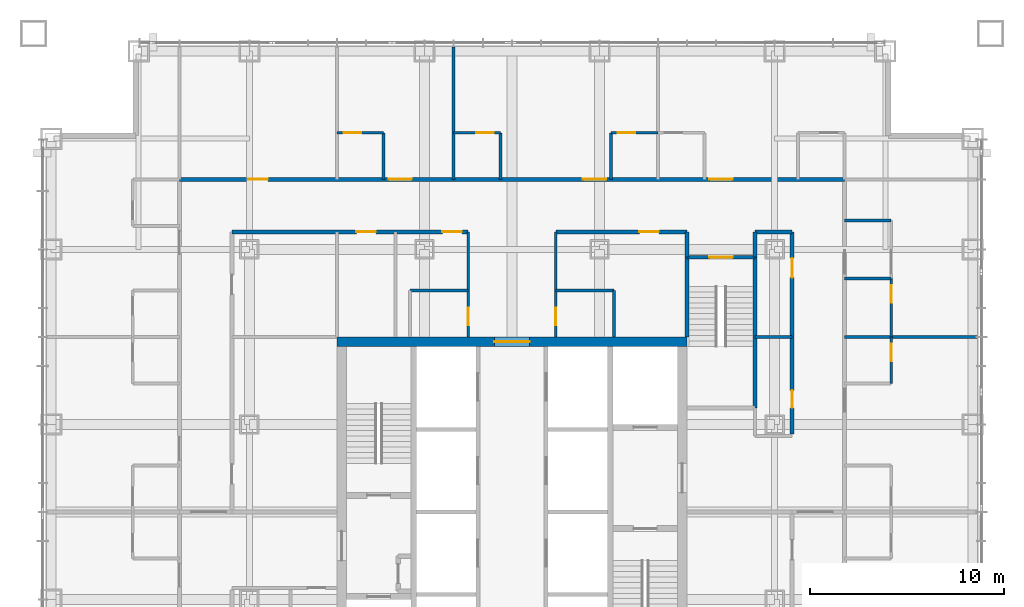
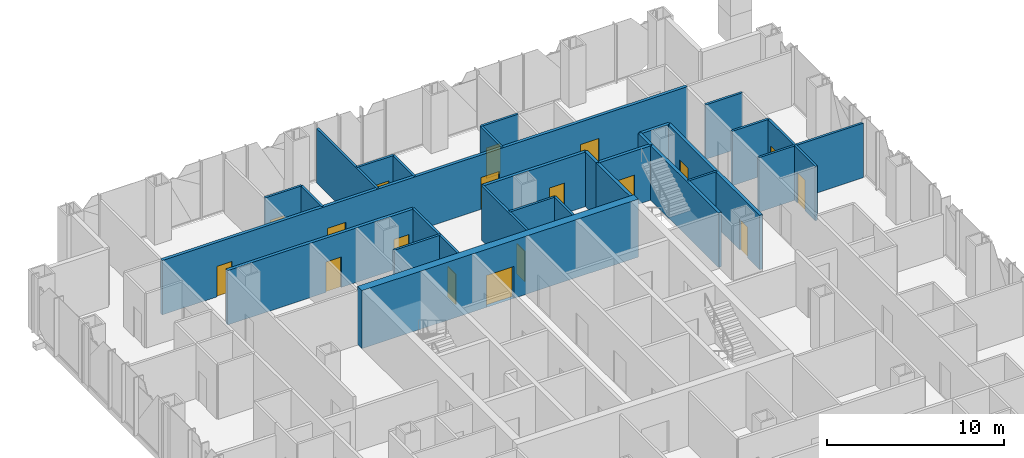
# One storey, part 12 of 23: 29 walls, 18 doors, 18 openings.
"""IFC4 building model written with IfcOpenShell, lengths in metres."""

from ifc_helpers import new_model, si_unit, direction, frame, frame_2d, origin, place, context, subcontext, project, spatial, rectangle, extrude, material, layer, layer_set, type_object, element, fill, save


model = new_model("IFC4")

# Units and contexts
model_context = context("Model", 3, precision=1e-05, world=origin(), true_north=direction((0.0, 1.0)))
body_context = subcontext(model_context, "Body", "Model", "MODEL_VIEW")
ifc_project = project(units=[si_unit("LENGTHUNIT", "METRE"), si_unit("AREAUNIT", "SQUARE_METRE"), si_unit("VOLUMEUNIT", "CUBIC_METRE"), si_unit("PLANEANGLEUNIT", "RADIAN"), si_unit("MASSUNIT", "GRAM", prefix="KILO")], contexts=[model_context])

# Site, building, storey
site_placement = place(None, origin())
site = spatial("IfcSite", under=ifc_project, at=site_placement, CompositionType="ELEMENT")
building_placement = place(site_placement, origin())
building = spatial("IfcBuilding", under=site, at=building_placement, Name="Malebo Sky Hospital", CompositionType="ELEMENT")
storey_placement = place(building_placement, frame((0.0, 0.0, 168.0)))
storey = spatial("IfcBuildingStorey", under=building, at=storey_placement, Name="L40", CompositionType="ELEMENT", Elevation=168.0)

# Wall, opening, door
ifc_material_1 = material(Name="Concrete C80/95", Category="concrete")
ifc_layer_1 = layer(ifc_material_1, 0.5)
ifc_layer_set_1 = layer_set([ifc_layer_1], Name="CORE WALL 500")
wall_type_1 = type_object("IfcWallType", Name="CORE WALL 500", PredefinedType="SHEAR", material=ifc_layer_set_1)
wall_1_placement = place(storey_placement, frame((51.0, 70.75, 0.0), z_axis=(0.0, 0.0, 1.0), x_axis=(1.0, 0.0, 0.0)))
wall_1 = element("IfcWall", 1, at=wall_1_placement, inside=storey, type_object=wall_type_1, Name="Core wall N L40", PredefinedType="SHEAR", context=body_context, shape_type="SweptSolid", body=[
    extrude(rectangle(XDim=18.0, YDim=0.5, at=frame_2d((9.0, 0.0))), origin(), (0.0, 0.0, 1.0), 4.0),
])
opening_1_placement = place(wall_1_placement, frame((8.10009765625, 0.0, 0.0)))
opening_1 = element("IfcOpeningElement", 2, at=opening_1_placement, cuts=wall_1, Name="Opening D06", PredefinedType="OPENING", context=body_context, shape_type="SweptSolid", body=[
    extrude(rectangle(XDim=1.800048828125, YDim=2.199951171875, at=frame_2d((0.89990234375, 1.10009765625))), frame((0.0, 0.260009765625, 0.0), z_axis=(0.0, -1.0, 0.0), x_axis=(1.0, 0.0, 0.0)), (0.0, 0.0, 1.0), 0.52001953125),
])
ifc_material_2 = material(Name="Hardwood-faced door leaf in steel frame", Category="steel")
door_type_1 = type_object("IfcDoorType", Name="LOBBY DOOR PAIR 1800", OperationType="DOUBLE_DOOR_SINGLE_SWING", PredefinedType="DOOR", material=ifc_material_2)
door_1_placement = place(opening_1_placement, origin())
door_1 = element("IfcDoor", 3, at=door_1_placement, inside=storey, type_object=door_type_1, Name="Lift lobby door north", OperationType="DOUBLE_DOOR_SINGLE_SWING", OverallHeight=2.199951171875, OverallWidth=1.800048828125, PredefinedType="DOOR", context=body_context, shape_type="SweptSolid", body=[
    extrude(rectangle(XDim=1.800048828125, YDim=2.199951171875, at=frame_2d((0.89990234375, 1.10009765625))), frame((0.0, 0.02490234375, 0.0), z_axis=(0.0, -1.0, 0.0), x_axis=(1.0, 0.0, 0.0)), (0.0, 0.0, 1.0), 0.050048828125),
])
fill(opening_1, door_1)

# Wall, openings, doors
ifc_material_3 = material(Name="Gypsum board on steel studs", Category="steel")
ifc_layer_2 = layer(ifc_material_3, 0.199951171875)
ifc_layer_set_2 = layer_set([ifc_layer_2], Name="CORRIDOR WALL 200")
wall_type_2 = type_object("IfcWallType", Name="CORRIDOR WALL 200", PredefinedType="PARTITIONING", material=ifc_layer_set_2)
wall_2_placement = place(storey_placement, frame((42.89990234375, 79.10009765625, 0.0), z_axis=(0.0, 0.0, 1.0), x_axis=(1.0, 0.0, 0.0)))
wall_2 = element("IfcWall", 4, at=wall_2_placement, inside=storey, type_object=wall_type_2, Name="Corridor Wall 200 NCO", PredefinedType="PARTITIONING", context=body_context, shape_type="SweptSolid", body=[
    extrude(rectangle(XDim=34.2001953125, YDim=0.199951171875, at=frame_2d((17.10009765625, 0.0))), origin(), (0.0, 0.0, 1.0), 3.75),
])
opening_2_placement = place(wall_2_placement, frame((3.550048828125, 0.0, 0.0)))
opening_2 = element("IfcOpeningElement", 5, at=opening_2_placement, cuts=wall_2, Name="Opening D03", PredefinedType="OPENING", context=body_context, shape_type="SweptSolid", body=[
    extrude(rectangle(XDim=1.0, YDim=2.10009765625, at=frame_2d((0.5, 1.050048828125))), frame((0.0, 0.10986328125, 0.0), z_axis=(0.0, -1.0, 0.0), x_axis=(1.0, 0.0, 0.0)), (0.0, 0.0, 1.0), 0.219970703125),
])
opening_3_placement = place(wall_2_placement, frame((10.75, 0.0, 0.0)))
opening_3 = element("IfcOpeningElement", 6, at=opening_3_placement, cuts=wall_2, Name="Opening D01", PredefinedType="OPENING", context=body_context, shape_type="SweptSolid", body=[
    extrude(rectangle(XDim=1.199951171875, YDim=2.199951171875, at=frame_2d((0.60009765625, 1.10009765625))), frame((0.0, 0.10986328125, 0.0), z_axis=(0.0, -1.0, 0.0), x_axis=(1.0, 0.0, 0.0)), (0.0, 0.0, 1.0), 0.219970703125),
])
opening_4_placement = place(wall_2_placement, frame((20.75, 0.0, 0.0)))
opening_4 = element("IfcOpeningElement", 7, at=opening_4_placement, cuts=wall_2, Name="Opening D01", PredefinedType="OPENING", context=body_context, shape_type="SweptSolid", body=[
    extrude(rectangle(XDim=1.199951171875, YDim=2.199951171875, at=frame_2d((0.60009765625, 1.10009765625))), frame((0.0, 0.10986328125, 0.0), z_axis=(0.0, -1.0, 0.0), x_axis=(1.0, 0.0, 0.0)), (0.0, 0.0, 1.0), 0.219970703125),
])
opening_5_placement = place(wall_2_placement, frame((27.25, 0.0, 0.0)))
opening_5 = element("IfcOpeningElement", 8, at=opening_5_placement, cuts=wall_2, Name="Opening D01", PredefinedType="OPENING", context=body_context, shape_type="SweptSolid", body=[
    extrude(rectangle(XDim=1.199951171875, YDim=2.199951171875, at=frame_2d((0.60009765625, 1.10009765625))), frame((0.0, 0.10986328125, 0.0), z_axis=(0.0, -1.0, 0.0), x_axis=(1.0, 0.0, 0.0)), (0.0, 0.0, 1.0), 0.219970703125),
])
door_type_2 = type_object("IfcDoorType", Name="BED DOOR 1200", OperationType="SINGLE_SWING_LEFT", PredefinedType="DOOR", material=ifc_material_2)
door_2_placement = place(opening_3_placement, origin())
door_2 = element("IfcDoor", 9, at=door_2_placement, inside=storey, type_object=door_type_2, Name="Single bed room door", OperationType="SINGLE_SWING_LEFT", OverallHeight=2.199951171875, OverallWidth=1.199951171875, PredefinedType="DOOR", context=body_context, shape_type="SweptSolid", body=[
    extrude(rectangle(XDim=1.199951171875, YDim=2.199951171875, at=frame_2d((0.60009765625, 1.10009765625))), frame((0.0, 0.02490234375, 0.0), z_axis=(0.0, -1.0, 0.0), x_axis=(1.0, 0.0, 0.0)), (0.0, 0.0, 1.0), 0.050048828125),
])
fill(opening_3, door_2)
door_3_placement = place(opening_4_placement, origin())
door_3 = element("IfcDoor", 10, at=door_3_placement, inside=storey, type_object=door_type_2, Name="Four-bed bay door", OperationType="SINGLE_SWING_RIGHT", OverallHeight=2.199951171875, OverallWidth=1.199951171875, PredefinedType="DOOR", context=body_context, shape_type="SweptSolid", body=[
    extrude(rectangle(XDim=1.199951171875, YDim=2.199951171875, at=frame_2d((0.60009765625, 1.10009765625))), frame((0.0, 0.02490234375, 0.0), z_axis=(0.0, -1.0, 0.0), x_axis=(1.0, 0.0, 0.0)), (0.0, 0.0, 1.0), 0.050048828125),
])
fill(opening_4, door_3)
door_4_placement = place(opening_5_placement, origin())
door_4 = element("IfcDoor", 11, at=door_4_placement, inside=storey, type_object=door_type_2, Name="Four-bed bay door", OperationType="SINGLE_SWING_LEFT", OverallHeight=2.199951171875, OverallWidth=1.199951171875, PredefinedType="DOOR", context=body_context, shape_type="SweptSolid", body=[
    extrude(rectangle(XDim=1.199951171875, YDim=2.199951171875, at=frame_2d((0.60009765625, 1.10009765625))), frame((0.0, 0.02490234375, 0.0), z_axis=(0.0, -1.0, 0.0), x_axis=(1.0, 0.0, 0.0)), (0.0, 0.0, 1.0), 0.050048828125),
])
fill(opening_5, door_4)
door_type_3 = type_object("IfcDoorType", Name="ROOM DOOR 1000", OperationType="SINGLE_SWING_LEFT", PredefinedType="DOOR", material=ifc_material_2)
door_5_placement = place(opening_2_placement, origin())
door_5 = element("IfcDoor", 12, at=door_5_placement, inside=storey, type_object=door_type_3, Name="Seminar room door", OperationType="SINGLE_SWING_LEFT", OverallHeight=2.10009765625, OverallWidth=1.0, PredefinedType="DOOR", context=body_context, shape_type="SweptSolid", body=[
    extrude(rectangle(XDim=1.0, YDim=2.10009765625, at=frame_2d((0.5, 1.050048828125))), frame((0.0, 0.02490234375, 0.0), z_axis=(0.0, -1.0, 0.0), x_axis=(1.0, 0.0, 0.0)), (0.0, 0.0, 1.0), 0.050048828125),
])
fill(opening_2, door_5)

wall_3_placement = place(storey_placement, frame((45.60009765625, 76.39990234375, 0.0), z_axis=(0.0, 0.0, 1.0), x_axis=(1.0, 0.0, 0.0)))
wall_3 = element("IfcWall", 13, at=wall_3_placement, inside=storey, type_object=wall_type_2, Name="Corridor Wall 200 NCI1", PredefinedType="PARTITIONING", context=body_context, shape_type="SweptSolid", body=[
    extrude(rectangle(XDim=12.14990234375, YDim=0.199951171875, at=frame_2d((6.074951171875, 0.0))), origin(), (0.0, 0.0, 1.0), 3.75),
])
opening_6_placement = place(wall_3_placement, frame((6.39990234375, 0.0, 0.0)))
opening_6 = element("IfcOpeningElement", 14, at=opening_6_placement, cuts=wall_3, Name="Opening D03", PredefinedType="OPENING", context=body_context, shape_type="SweptSolid", body=[
    extrude(rectangle(XDim=1.0, YDim=2.10009765625, at=frame_2d((0.5, 1.050048828125))), frame((0.0, 0.10986328125, 0.0), z_axis=(0.0, -1.0, 0.0), x_axis=(1.0, 0.0, 0.0)), (0.0, 0.0, 1.0), 0.219970703125),
])
opening_7_placement = place(wall_3_placement, frame((10.824951171875, 0.0, 0.0)))
opening_7 = element("IfcOpeningElement", 15, at=opening_7_placement, cuts=wall_3, Name="Opening D03", PredefinedType="OPENING", context=body_context, shape_type="SweptSolid", body=[
    extrude(rectangle(XDim=1.0, YDim=2.10009765625, at=frame_2d((0.5, 1.050048828125))), frame((0.0, 0.10986328125, 0.0), z_axis=(0.0, -1.0, 0.0), x_axis=(1.0, 0.0, 0.0)), (0.0, 0.0, 1.0), 0.219970703125),
])
door_6_placement = place(opening_6_placement, origin())
door_6 = element("IfcDoor", 16, at=door_6_placement, inside=storey, type_object=door_type_3, Name="Equipment bay store door", OperationType="SINGLE_SWING_LEFT", OverallHeight=2.10009765625, OverallWidth=1.0, PredefinedType="DOOR", context=body_context, shape_type="SweptSolid", body=[
    extrude(rectangle(XDim=1.0, YDim=2.10009765625, at=frame_2d((0.5, 1.050048828125))), frame((0.0, 0.02490234375, 0.0), z_axis=(0.0, -1.0, 0.0), x_axis=(1.0, 0.0, 0.0)), (0.0, 0.0, 1.0), 0.050048828125),
])
fill(opening_6, door_6)
door_7_placement = place(opening_7_placement, origin())
door_7 = element("IfcDoor", 17, at=door_7_placement, inside=storey, type_object=door_type_3, Name="Medication room door", OperationType="SINGLE_SWING_RIGHT", OverallHeight=2.10009765625, OverallWidth=1.0, PredefinedType="DOOR", context=body_context, shape_type="SweptSolid", body=[
    extrude(rectangle(XDim=1.0, YDim=2.10009765625, at=frame_2d((0.5, 1.050048828125))), frame((0.0, 0.02490234375, 0.0), z_axis=(0.0, -1.0, 0.0), x_axis=(1.0, 0.0, 0.0)), (0.0, 0.0, 1.0), 0.050048828125),
])
fill(opening_7, door_7)

# Wall, opening, door
wall_4_placement = place(storey_placement, frame((62.25, 76.39990234375, 0.0), z_axis=(0.0, 0.0, 1.0), x_axis=(1.0, 0.0, 0.0)))
wall_4 = element("IfcWall", 18, at=wall_4_placement, inside=storey, type_object=wall_type_2, Name="Corridor Wall 200 NCI2", PredefinedType="PARTITIONING", context=body_context, shape_type="SweptSolid", body=[
    extrude(rectangle(XDim=6.75, YDim=0.199951171875, at=frame_2d((3.375, 0.0))), origin(), (0.0, 0.0, 1.0), 3.75),
])
opening_8_placement = place(wall_4_placement, frame((4.300048828125, 0.0, 0.0)))
opening_8 = element("IfcOpeningElement", 19, at=opening_8_placement, cuts=wall_4, Name="Opening D03", PredefinedType="OPENING", context=body_context, shape_type="SweptSolid", body=[
    extrude(rectangle(XDim=1.0, YDim=2.10009765625, at=frame_2d((0.5, 1.050048828125))), frame((0.0, 0.10986328125, 0.0), z_axis=(0.0, -1.0, 0.0), x_axis=(1.0, 0.0, 0.0)), (0.0, 0.0, 1.0), 0.219970703125),
])
door_8_placement = place(opening_8_placement, origin())
door_8 = element("IfcDoor", 20, at=door_8_placement, inside=storey, type_object=door_type_3, Name="Seminar room door", OperationType="SINGLE_SWING_RIGHT", OverallHeight=2.10009765625, OverallWidth=1.0, PredefinedType="DOOR", context=body_context, shape_type="SweptSolid", body=[
    extrude(rectangle(XDim=1.0, YDim=2.10009765625, at=frame_2d((0.5, 1.050048828125))), frame((0.0, 0.02490234375, 0.0), z_axis=(0.0, -1.0, 0.0), x_axis=(1.0, 0.0, 0.0)), (0.0, 0.0, 1.0), 0.050048828125),
])
fill(opening_8, door_8)

# Wall
wall_5_placement = place(storey_placement, frame((72.5, 76.39990234375, 0.0), z_axis=(0.0, 0.0, 1.0), x_axis=(1.0, 0.0, 0.0)))
element("IfcWall", 21, at=wall_5_placement, inside=storey, type_object=wall_type_2, Name="Corridor Wall 200 NCI2/2", PredefinedType="PARTITIONING", context=body_context, shape_type="SweptSolid", body=[
    extrude(rectangle(XDim=1.89990234375, YDim=0.199951171875, at=frame_2d((0.949951171875, 0.0))), origin(), (0.0, 0.0, 1.0), 3.75),
])

# Wall, openings, doors
wall_6_placement = place(storey_placement, frame((74.39990234375, 76.39990234375, 0.0), z_axis=(0.0, 0.0, 1.0), x_axis=(0.0, -1.0, 0.0)))
wall_6 = element("IfcWall", 22, at=wall_6_placement, inside=storey, type_object=wall_type_2, Name="Corridor Wall 200 ECI1", PredefinedType="PARTITIONING", context=body_context, shape_type="SweptSolid", body=[
    extrude(rectangle(XDim=10.39990234375, YDim=0.199951171875, at=frame_2d((5.199951171875, 0.0))), origin(), (0.0, 0.0, 1.0), 3.75),
])
opening_9_placement = place(wall_6_placement, frame((1.35009765625, 0.0, 0.0)))
opening_9 = element("IfcOpeningElement", 23, at=opening_9_placement, cuts=wall_6, Name="Opening D03", PredefinedType="OPENING", context=body_context, shape_type="SweptSolid", body=[
    extrude(rectangle(XDim=1.0, YDim=2.10009765625, at=frame_2d((0.5, 1.050048828125))), frame((0.0, 0.10986328125, 0.0), z_axis=(0.0, -1.0, 0.0), x_axis=(1.0, 0.0, 0.0)), (0.0, 0.0, 1.0), 0.219970703125),
])
opening_10_placement = place(wall_6_placement, frame((8.14990234375, 0.0, 0.0)))
opening_10 = element("IfcOpeningElement", 24, at=opening_10_placement, cuts=wall_6, Name="Opening D04", PredefinedType="OPENING", context=body_context, shape_type="SweptSolid", body=[
    extrude(rectangle(XDim=0.89990234375, YDim=2.10009765625, at=frame_2d((0.449951171875, 1.050048828125))), frame((0.0, 0.10986328125, 0.0), z_axis=(0.0, -1.0, 0.0), x_axis=(1.0, 0.0, 0.0)), (0.0, 0.0, 1.0), 0.219970703125),
])
door_9_placement = place(opening_9_placement, origin())
door_9 = element("IfcDoor", 25, at=door_9_placement, inside=storey, type_object=door_type_3, Name="Consulting room door", OperationType="SINGLE_SWING_LEFT", OverallHeight=2.10009765625, OverallWidth=1.0, PredefinedType="DOOR", context=body_context, shape_type="SweptSolid", body=[
    extrude(rectangle(XDim=1.0, YDim=2.10009765625, at=frame_2d((0.5, 1.050048828125))), frame((0.0, 0.02490234375, 0.0), z_axis=(0.0, -1.0, 0.0), x_axis=(1.0, 0.0, 0.0)), (0.0, 0.0, 1.0), 0.050048828125),
])
fill(opening_9, door_9)
door_type_4 = type_object("IfcDoorType", Name="ROOM DOOR 900", OperationType="SINGLE_SWING_LEFT", PredefinedType="DOOR", material=ifc_material_2)
door_10_placement = place(opening_10_placement, origin())
door_10 = element("IfcDoor", 26, at=door_10_placement, inside=storey, type_object=door_type_4, Name="Equipment store door", OperationType="SINGLE_SWING_RIGHT", OverallHeight=2.10009765625, OverallWidth=0.89990234375, PredefinedType="DOOR", context=body_context, shape_type="SweptSolid", body=[
    extrude(rectangle(XDim=0.89990234375, YDim=2.10009765625, at=frame_2d((0.449951171875, 1.050048828125))), frame((0.0, 0.02490234375, 0.0), z_axis=(0.0, -1.0, 0.0), x_axis=(1.0, 0.0, 0.0)), (0.0, 0.0, 1.0), 0.050048828125),
])
fill(opening_10, door_10)

# Walls
for number, where, z_axis, x_axis, name in (
    (27, (69.0, 75.10009765625, 0.0), (0.0, 0.0, 1.0), (0.0, 1.0, 0.0), "Corridor Wall 200 ST3AW"),
    (28, (72.5, 75.10009765625, 0.0), (0.0, 0.0, 1.0), (0.0, 1.0, 0.0), "Corridor Wall 200 ST3AE"),
):
    element("IfcWall", number, at=place(storey_placement, frame(where, z_axis=z_axis, x_axis=x_axis)), inside=storey, type_object=wall_type_2, Name=name, PredefinedType="PARTITIONING", context=body_context, shape_type="SweptSolid", body=[
        extrude(rectangle(XDim=1.2998046875, YDim=0.199951171875, at=frame_2d((0.64990234375, 0.0))), origin(), (0.0, 0.0, 1.0), 3.75),
    ])
ifc_layer_3 = layer(ifc_material_3, 0.14990234375)
ifc_layer_set_3 = layer_set([ifc_layer_3], Name="PARTITION 150")
wall_type_3 = type_object("IfcWallType", Name="PARTITION 150", PredefinedType="PARTITIONING", material=ifc_layer_set_3)
wall_7_placement = place(storey_placement, frame((57.0, 79.10009765625, 0.0), z_axis=(0.0, 0.0, 1.0), x_axis=(0.0, 1.0, 0.0)))
element("IfcWall", 29, at=wall_7_placement, inside=storey, type_object=wall_type_3, Name="Partition 150 NP-3.0", PredefinedType="PARTITIONING", context=body_context, shape_type="SweptSolid", body=[
    extrude(rectangle(XDim=6.809814453125, YDim=0.14990234375, at=frame_2d((3.40478515625, 0.0))), origin(), (0.0, 0.0, 1.0), 3.75),
])

# Wall, opening, door
wall_8_placement = place(storey_placement, frame((51.0, 81.5, 0.0), z_axis=(0.0, 0.0, 1.0), x_axis=(1.0, 0.0, 0.0)))
wall_8 = element("IfcWall", 30, at=wall_8_placement, inside=storey, type_object=wall_type_3, Name="Partition 150 NE1F", PredefinedType="PARTITIONING", context=body_context, shape_type="SweptSolid", body=[
    extrude(rectangle(XDim=2.39990234375, YDim=0.14990234375, at=frame_2d((1.199951171875, 0.0))), origin(), (0.0, 0.0, 1.0), 3.75),
])
opening_11_placement = place(wall_8_placement, frame((0.35009765625, 0.0, 0.0)))
opening_11 = element("IfcOpeningElement", 31, at=opening_11_placement, cuts=wall_8, Name="Opening D02", PredefinedType="OPENING", context=body_context, shape_type="SweptSolid", body=[
    extrude(rectangle(XDim=0.89990234375, YDim=2.10009765625, at=frame_2d((0.449951171875, 1.050048828125))), frame((0.0, 0.0849609375, 0.0), z_axis=(0.0, -1.0, 0.0), x_axis=(1.0, 0.0, 0.0)), (0.0, 0.0, 1.0), 0.169921875),
])
door_type_5 = type_object("IfcDoorType", Name="EN-SUITE DOOR 900", OperationType="SINGLE_SWING_LEFT", PredefinedType="DOOR", material=ifc_material_2)
door_11_placement = place(opening_11_placement, origin())
door_11 = element("IfcDoor", 32, at=door_11_placement, inside=storey, type_object=door_type_5, Name="En-suite door", OperationType="SINGLE_SWING_LEFT", OverallHeight=2.10009765625, OverallWidth=0.89990234375, PredefinedType="DOOR", context=body_context, shape_type="SweptSolid", body=[
    extrude(rectangle(XDim=0.89990234375, YDim=2.10009765625, at=frame_2d((0.449951171875, 1.050048828125))), frame((0.0, 0.02490234375, 0.0), z_axis=(0.0, -1.0, 0.0), x_axis=(1.0, 0.0, 0.0)), (0.0, 0.0, 1.0), 0.050048828125),
])
fill(opening_11, door_11)

# Wall
wall_9_placement = place(storey_placement, frame((53.39990234375, 79.10009765625, 0.0), z_axis=(0.0, 0.0, 1.0), x_axis=(0.0, 1.0, 0.0)))
element("IfcWall", 33, at=wall_9_placement, inside=storey, type_object=wall_type_3, Name="Partition 150 NE1S", PredefinedType="PARTITIONING", context=body_context, shape_type="SweptSolid", body=[
    extrude(rectangle(XDim=2.39990234375, YDim=0.14990234375, at=frame_2d((1.199951171875, 0.0))), origin(), (0.0, 0.0, 1.0), 3.75),
])

# Wall, opening, door
wall_10_placement = place(storey_placement, frame((65.10009765625, 81.5, 0.0), z_axis=(0.0, 0.0, 1.0), x_axis=(1.0, 0.0, 0.0)))
wall_10 = element("IfcWall", 34, at=wall_10_placement, inside=storey, type_object=wall_type_3, Name="Partition 150 NE2F", PredefinedType="PARTITIONING", context=body_context, shape_type="SweptSolid", body=[
    extrude(rectangle(XDim=2.39990234375, YDim=0.14990234375, at=frame_2d((1.199951171875, 0.0))), origin(), (0.0, 0.0, 1.0), 3.75),
])
opening_12_placement = place(wall_10_placement, frame((0.35009765625, 0.0, 0.0)))
opening_12 = element("IfcOpeningElement", 35, at=opening_12_placement, cuts=wall_10, Name="Opening D02", PredefinedType="OPENING", context=body_context, shape_type="SweptSolid", body=[
    extrude(rectangle(XDim=0.89990234375, YDim=2.10009765625, at=frame_2d((0.449951171875, 1.050048828125))), frame((0.0, 0.0849609375, 0.0), z_axis=(0.0, -1.0, 0.0), x_axis=(1.0, 0.0, 0.0)), (0.0, 0.0, 1.0), 0.169921875),
])
door_12_placement = place(opening_12_placement, origin())
door_12 = element("IfcDoor", 36, at=door_12_placement, inside=storey, type_object=door_type_5, Name="En-suite door", OperationType="SINGLE_SWING_LEFT", OverallHeight=2.10009765625, OverallWidth=0.89990234375, PredefinedType="DOOR", context=body_context, shape_type="SweptSolid", body=[
    extrude(rectangle(XDim=0.89990234375, YDim=2.10009765625, at=frame_2d((0.449951171875, 1.050048828125))), frame((0.0, 0.02490234375, 0.0), z_axis=(0.0, -1.0, 0.0), x_axis=(1.0, 0.0, 0.0)), (0.0, 0.0, 1.0), 0.050048828125),
])
fill(opening_12, door_12)

# Wall
wall_11_placement = place(storey_placement, frame((65.10009765625, 79.10009765625, 0.0), z_axis=(0.0, 0.0, 1.0), x_axis=(0.0, 1.0, 0.0)))
element("IfcWall", 37, at=wall_11_placement, inside=storey, type_object=wall_type_3, Name="Partition 150 NE2S", PredefinedType="PARTITIONING", context=body_context, shape_type="SweptSolid", body=[
    extrude(rectangle(XDim=2.39990234375, YDim=0.14990234375, at=frame_2d((1.199951171875, 0.0))), origin(), (0.0, 0.0, 1.0), 3.75),
])

# Wall, opening, door
wall_12_placement = place(storey_placement, frame((57.0, 81.5, 0.0), z_axis=(0.0, 0.0, 1.0), x_axis=(1.0, 0.0, 0.0)))
wall_12 = element("IfcWall", 38, at=wall_12_placement, inside=storey, type_object=wall_type_3, Name="Partition 150 NG2F", PredefinedType="PARTITIONING", context=body_context, shape_type="SweptSolid", body=[
    extrude(rectangle(XDim=2.39990234375, YDim=0.14990234375, at=frame_2d((1.199951171875, 0.0))), origin(), (0.0, 0.0, 1.0), 3.75),
])
opening_13_placement = place(wall_12_placement, frame((1.14990234375, 0.0, 0.0)))
opening_13 = element("IfcOpeningElement", 39, at=opening_13_placement, cuts=wall_12, Name="Opening D02", PredefinedType="OPENING", context=body_context, shape_type="SweptSolid", body=[
    extrude(rectangle(XDim=0.89990234375, YDim=2.10009765625, at=frame_2d((0.449951171875, 1.050048828125))), frame((0.0, 0.0849609375, 0.0), z_axis=(0.0, -1.0, 0.0), x_axis=(1.0, 0.0, 0.0)), (0.0, 0.0, 1.0), 0.169921875),
])
door_13_placement = place(opening_13_placement, origin())
door_13 = element("IfcDoor", 40, at=door_13_placement, inside=storey, type_object=door_type_5, Name="En-suite door", OperationType="SINGLE_SWING_RIGHT", OverallHeight=2.10009765625, OverallWidth=0.89990234375, PredefinedType="DOOR", context=body_context, shape_type="SweptSolid", body=[
    extrude(rectangle(XDim=0.89990234375, YDim=2.10009765625, at=frame_2d((0.449951171875, 1.050048828125))), frame((0.0, 0.02490234375, 0.0), z_axis=(0.0, -1.0, 0.0), x_axis=(1.0, 0.0, 0.0)), (0.0, 0.0, 1.0), 0.050048828125),
])
fill(opening_13, door_13)

# Wall
wall_13_placement = place(storey_placement, frame((59.39990234375, 79.10009765625, 0.0), z_axis=(0.0, 0.0, 1.0), x_axis=(0.0, 1.0, 0.0)))
element("IfcWall", 41, at=wall_13_placement, inside=storey, type_object=wall_type_3, Name="Partition 150 NG2S", PredefinedType="PARTITIONING", context=body_context, shape_type="SweptSolid", body=[
    extrude(rectangle(XDim=2.39990234375, YDim=0.14990234375, at=frame_2d((1.199951171875, 0.0))), origin(), (0.0, 0.0, 1.0), 3.75),
])

# Wall, opening, door
wall_14_placement = place(storey_placement, frame((57.75, 71.0, 0.0), z_axis=(0.0, 0.0, 1.0), x_axis=(0.0, 1.0, 0.0)))
wall_14 = element("IfcWall", 42, at=wall_14_placement, inside=storey, type_object=wall_type_3, Name="Partition 150 NSPA", PredefinedType="PARTITIONING", context=body_context, shape_type="SweptSolid", body=[
    extrude(rectangle(XDim=5.39990234375, YDim=0.14990234375, at=frame_2d((2.699951171875, 0.0))), origin(), (0.0, 0.0, 1.0), 3.75),
])
opening_14_placement = place(wall_14_placement, frame((0.60009765625, 0.0, 0.0)))
opening_14 = element("IfcOpeningElement", 43, at=opening_14_placement, cuts=wall_14, Name="Opening D04", PredefinedType="OPENING", context=body_context, shape_type="SweptSolid", body=[
    extrude(rectangle(XDim=0.89990234375, YDim=2.10009765625, at=frame_2d((0.449951171875, 1.050048828125))), frame((0.0, 0.0849609375, 0.0), z_axis=(0.0, -1.0, 0.0), x_axis=(1.0, 0.0, 0.0)), (0.0, 0.0, 1.0), 0.169921875),
])
door_14_placement = place(opening_14_placement, origin())
door_14 = element("IfcDoor", 44, at=door_14_placement, inside=storey, type_object=door_type_4, Name="Staff WC door", OperationType="SINGLE_SWING_LEFT", OverallHeight=2.10009765625, OverallWidth=0.89990234375, PredefinedType="DOOR", context=body_context, shape_type="SweptSolid", body=[
    extrude(rectangle(XDim=0.89990234375, YDim=2.10009765625, at=frame_2d((0.449951171875, 1.050048828125))), frame((0.0, 0.02490234375, 0.0), z_axis=(0.0, -1.0, 0.0), x_axis=(1.0, 0.0, 0.0)), (0.0, 0.0, 1.0), 0.050048828125),
])
fill(opening_14, door_14)

wall_15_placement = place(storey_placement, frame((62.25, 71.0, 0.0), z_axis=(0.0, 0.0, 1.0), x_axis=(0.0, 1.0, 0.0)))
wall_15 = element("IfcWall", 45, at=wall_15_placement, inside=storey, type_object=wall_type_3, Name="Partition 150 NSPB", PredefinedType="PARTITIONING", context=body_context, shape_type="SweptSolid", body=[
    extrude(rectangle(XDim=5.39990234375, YDim=0.14990234375, at=frame_2d((2.699951171875, 0.0))), origin(), (0.0, 0.0, 1.0), 3.75),
])
opening_15_placement = place(wall_15_placement, frame((0.60009765625, 0.0, 0.0)))
opening_15 = element("IfcOpeningElement", 46, at=opening_15_placement, cuts=wall_15, Name="Opening D04", PredefinedType="OPENING", context=body_context, shape_type="SweptSolid", body=[
    extrude(rectangle(XDim=0.89990234375, YDim=2.10009765625, at=frame_2d((0.449951171875, 1.050048828125))), frame((0.0, 0.0849609375, 0.0), z_axis=(0.0, -1.0, 0.0), x_axis=(1.0, 0.0, 0.0)), (0.0, 0.0, 1.0), 0.169921875),
])
door_15_placement = place(opening_15_placement, origin())
door_15 = element("IfcDoor", 47, at=door_15_placement, inside=storey, type_object=door_type_4, Name="Accessible WC door", OperationType="SINGLE_SWING_LEFT", OverallHeight=2.10009765625, OverallWidth=0.89990234375, PredefinedType="DOOR", context=body_context, shape_type="SweptSolid", body=[
    extrude(rectangle(XDim=0.89990234375, YDim=2.10009765625, at=frame_2d((0.449951171875, 1.050048828125))), frame((0.0, 0.02490234375, 0.0), z_axis=(0.0, -1.0, 0.0), x_axis=(1.0, 0.0, 0.0)), (0.0, 0.0, 1.0), 0.050048828125),
])
fill(opening_15, door_15)

# Walls
for number, where, z_axis, x_axis, name in (
    (48, (54.75, 73.39990234375, 0.0), (0.0, 0.0, 1.0), (1.0, 0.0, 0.0), "Partition 150 NSX1"),
    (49, (62.25, 73.39990234375, 0.0), (0.0, 0.0, 1.0), (1.0, 0.0, 0.0), "Partition 150 NSX2"),
):
    element("IfcWall", number, at=place(storey_placement, frame(where, z_axis=z_axis, x_axis=x_axis)), inside=storey, type_object=wall_type_3, Name=name, PredefinedType="PARTITIONING", context=body_context, shape_type="SweptSolid", body=[
        extrude(rectangle(XDim=3.0, YDim=0.14990234375, at=frame_2d((1.5, 0.0))), origin(), (0.0, 0.0, 1.0), 3.75),
    ])
wall_16_placement = place(storey_placement, frame((65.25, 71.0, 0.0), z_axis=(0.0, 0.0, 1.0), x_axis=(0.0, 1.0, 0.0)))
element("IfcWall", 50, at=wall_16_placement, inside=storey, type_object=wall_type_3, Name="Partition 150 NSY2", PredefinedType="PARTITIONING", context=body_context, shape_type="SweptSolid", body=[
    extrude(rectangle(XDim=2.39990234375, YDim=0.14990234375, at=frame_2d((1.199951171875, 0.0))), origin(), (0.0, 0.0, 1.0), 3.75),
])
wall_17_placement = place(storey_placement, frame((77.10009765625, 71.0, 0.0), z_axis=(0.0, 0.0, 1.0), x_axis=(1.0, 0.0, 0.0)))
element("IfcWall", 51, at=wall_17_placement, inside=storey, type_object=wall_type_3, Name="Partition 150 EP-9.0", PredefinedType="PARTITIONING", context=body_context, shape_type="SweptSolid", body=[
    extrude(rectangle(XDim=6.809814453125, YDim=0.14990234375, at=frame_2d((3.40478515625, 0.0))), origin(), (0.0, 0.0, 1.0), 3.75),
])

# Wall, opening, door
wall_18_placement = place(storey_placement, frame((79.5, 74.0, 0.0), z_axis=(0.0, 0.0, 1.0), x_axis=(0.0, -1.0, 0.0)))
wall_18 = element("IfcWall", 52, at=wall_18_placement, inside=storey, type_object=wall_type_3, Name="Partition 150 EE0F", PredefinedType="PARTITIONING", context=body_context, shape_type="SweptSolid", body=[
    extrude(rectangle(XDim=3.0, YDim=0.14990234375, at=frame_2d((1.5, 0.0))), origin(), (0.0, 0.0, 1.0), 3.75),
])
opening_16_placement = place(wall_18_placement, frame((0.35009765625, 0.0, 0.0)))
opening_16 = element("IfcOpeningElement", 53, at=opening_16_placement, cuts=wall_18, Name="Opening D02", PredefinedType="OPENING", context=body_context, shape_type="SweptSolid", body=[
    extrude(rectangle(XDim=0.89990234375, YDim=2.10009765625, at=frame_2d((0.449951171875, 1.050048828125))), frame((0.0, 0.0849609375, 0.0), z_axis=(0.0, -1.0, 0.0), x_axis=(1.0, 0.0, 0.0)), (0.0, 0.0, 1.0), 0.169921875),
])
door_16_placement = place(opening_16_placement, origin())
door_16 = element("IfcDoor", 54, at=door_16_placement, inside=storey, type_object=door_type_5, Name="En-suite door", OperationType="SINGLE_SWING_LEFT", OverallHeight=2.10009765625, OverallWidth=0.89990234375, PredefinedType="DOOR", context=body_context, shape_type="SweptSolid", body=[
    extrude(rectangle(XDim=0.89990234375, YDim=2.10009765625, at=frame_2d((0.449951171875, 1.050048828125))), frame((0.0, 0.02490234375, 0.0), z_axis=(0.0, -1.0, 0.0), x_axis=(1.0, 0.0, 0.0)), (0.0, 0.0, 1.0), 0.050048828125),
])
fill(opening_16, door_16)

# Wall
wall_19_placement = place(storey_placement, frame((77.10009765625, 74.0, 0.0), z_axis=(0.0, 0.0, 1.0), x_axis=(1.0, 0.0, 0.0)))
element("IfcWall", 55, at=wall_19_placement, inside=storey, type_object=wall_type_3, Name="Partition 150 EE0S", PredefinedType="PARTITIONING", context=body_context, shape_type="SweptSolid", body=[
    extrude(rectangle(XDim=2.39990234375, YDim=0.14990234375, at=frame_2d((1.199951171875, 0.0))), origin(), (0.0, 0.0, 1.0), 3.75),
])

# Wall, opening, door
wall_20_placement = place(storey_placement, frame((79.5, 71.0, 0.0), z_axis=(0.0, 0.0, 1.0), x_axis=(0.0, -1.0, 0.0)))
wall_20 = element("IfcWall", 56, at=wall_20_placement, inside=storey, type_object=wall_type_3, Name="Partition 150 EE1F", PredefinedType="PARTITIONING", context=body_context, shape_type="SweptSolid", body=[
    extrude(rectangle(XDim=2.39990234375, YDim=0.14990234375, at=frame_2d((1.199951171875, 0.0))), origin(), (0.0, 0.0, 1.0), 3.75),
])
opening_17_placement = place(wall_20_placement, frame((0.35009765625, 0.0, 0.0)))
opening_17 = element("IfcOpeningElement", 57, at=opening_17_placement, cuts=wall_20, Name="Opening D02", PredefinedType="OPENING", context=body_context, shape_type="SweptSolid", body=[
    extrude(rectangle(XDim=0.89990234375, YDim=2.10009765625, at=frame_2d((0.449951171875, 1.050048828125))), frame((0.0, 0.0849609375, 0.0), z_axis=(0.0, -1.0, 0.0), x_axis=(1.0, 0.0, 0.0)), (0.0, 0.0, 1.0), 0.169921875),
])
door_17_placement = place(opening_17_placement, origin())
door_17 = element("IfcDoor", 58, at=door_17_placement, inside=storey, type_object=door_type_5, Name="En-suite door", OperationType="SINGLE_SWING_LEFT", OverallHeight=2.10009765625, OverallWidth=0.89990234375, PredefinedType="DOOR", context=body_context, shape_type="SweptSolid", body=[
    extrude(rectangle(XDim=0.89990234375, YDim=2.10009765625, at=frame_2d((0.449951171875, 1.050048828125))), frame((0.0, 0.02490234375, 0.0), z_axis=(0.0, -1.0, 0.0), x_axis=(1.0, 0.0, 0.0)), (0.0, 0.0, 1.0), 0.050048828125),
])
fill(opening_17, door_17)

# Walls
wall_21_placement = place(storey_placement, frame((72.5, 71.0, 0.0), z_axis=(0.0, 0.0, 1.0), x_axis=(1.0, 0.0, 0.0)))
element("IfcWall", 59, at=wall_21_placement, inside=storey, type_object=wall_type_3, Name="Partition 150 ESP0", PredefinedType="PARTITIONING", context=body_context, shape_type="SweptSolid", body=[
    extrude(rectangle(XDim=1.89990234375, YDim=0.14990234375, at=frame_2d((0.949951171875, 0.0))), origin(), (0.0, 0.0, 1.0), 3.75),
])
ifc_material_4 = material(Name="Sealed gypsum board on steel studs, taped to the slab", Category="steel")
ifc_layer_4 = layer(ifc_material_4, 0.14990234375)
ifc_layer_set_4 = layer_set([ifc_layer_4], Name="SEALED ISOLATION PARTITION 150")
wall_type_4 = type_object("IfcWallType", Name="SEALED ISOLATION PARTITION 150", PredefinedType="PARTITIONING", material=ifc_layer_set_4)
wall_22_placement = place(storey_placement, frame((77.10009765625, 77.0, 0.0), z_axis=(0.0, 0.0, 1.0), x_axis=(1.0, 0.0, 0.0)))
element("IfcWall", 60, at=wall_22_placement, inside=storey, type_object=wall_type_4, Name="Sealed Isolation Partition 150 EA0S", PredefinedType="PARTITIONING", context=body_context, shape_type="SweptSolid", body=[
    extrude(rectangle(XDim=2.39990234375, YDim=0.14990234375, at=frame_2d((1.199951171875, 0.0))), origin(), (0.0, 0.0, 1.0), 3.75),
])
ifc_material_5 = material(Name="Concrete C40/50", Category="concrete")
ifc_layer_5 = layer(ifc_material_5, 0.199951171875)
ifc_layer_set_5 = layer_set([ifc_layer_5], Name="STAIR ENCLOSURE WALL 200")
wall_type_5 = type_object("IfcWallType", Name="STAIR ENCLOSURE WALL 200", PredefinedType="SOLIDWALL", material=ifc_layer_set_5)
wall_23_placement = place(storey_placement, frame((69.0, 71.0, 0.0), z_axis=(0.0, 0.0, 1.0), x_axis=(0.0, 1.0, 0.0)))
element("IfcWall", 61, at=wall_23_placement, inside=storey, type_object=wall_type_5, Name="Stair Enclosure Wall 200 ST3W", PredefinedType="SOLIDWALL", context=body_context, shape_type="SweptSolid", body=[
    extrude(rectangle(XDim=4.10009765625, YDim=0.199951171875, at=frame_2d((2.050048828125, 0.0))), origin(), (0.0, 0.0, 1.0), 3.75),
])
wall_24_placement = place(storey_placement, frame((72.5, 67.35009765625, 0.0), z_axis=(0.0, 0.0, 1.0), x_axis=(0.0, 1.0, 0.0)))
element("IfcWall", 62, at=wall_24_placement, inside=storey, type_object=wall_type_5, Name="Stair Enclosure Wall 200 ST3E", PredefinedType="SOLIDWALL", context=body_context, shape_type="SweptSolid", body=[
    extrude(rectangle(XDim=7.75, YDim=0.199951171875, at=frame_2d((3.875, 0.0))), origin(), (0.0, 0.0, 1.0), 3.75),
])

# Wall, opening, door
wall_25_placement = place(storey_placement, frame((69.0, 75.10009765625, 0.0), z_axis=(0.0, 0.0, 1.0), x_axis=(1.0, 0.0, 0.0)))
wall_25 = element("IfcWall", 63, at=wall_25_placement, inside=storey, type_object=wall_type_5, Name="Stair Enclosure Wall 200 ST3N", PredefinedType="SOLIDWALL", context=body_context, shape_type="SweptSolid", body=[
    extrude(rectangle(XDim=3.5, YDim=0.199951171875, at=frame_2d((1.75, 0.0))), origin(), (0.0, 0.0, 1.0), 3.75),
])
opening_18_placement = place(wall_25_placement, frame((1.14990234375, 0.0, 0.0)))
opening_18 = element("IfcOpeningElement", 64, at=opening_18_placement, cuts=wall_25, Name="Opening D08", PredefinedType="OPENING", context=body_context, shape_type="SweptSolid", body=[
    extrude(rectangle(XDim=1.199951171875, YDim=2.10009765625, at=frame_2d((0.60009765625, 1.050048828125))), frame((0.0, 0.10986328125, 0.0), z_axis=(0.0, -1.0, 0.0), x_axis=(1.0, 0.0, 0.0)), (0.0, 0.0, 1.0), 0.219970703125),
])
door_type_6 = type_object("IfcDoorType", Name="STAIR DOOR 1200", OperationType="SINGLE_SWING_LEFT", PredefinedType="DOOR", material=ifc_material_2)
door_18_placement = place(opening_18_placement, origin())
door_18 = element("IfcDoor", 65, at=door_18_placement, inside=storey, type_object=door_type_6, Name="Stair S3 door", OperationType="SINGLE_SWING_LEFT", OverallHeight=2.10009765625, OverallWidth=1.199951171875, PredefinedType="DOOR", context=body_context, shape_type="SweptSolid", body=[
    extrude(rectangle(XDim=1.199951171875, YDim=2.10009765625, at=frame_2d((0.60009765625, 1.050048828125))), frame((0.0, 0.02490234375, 0.0), z_axis=(0.0, -1.0, 0.0), x_axis=(1.0, 0.0, 0.0)), (0.0, 0.0, 1.0), 0.050048828125),
])
fill(opening_18, door_18)

save(model, "model.ifc")
